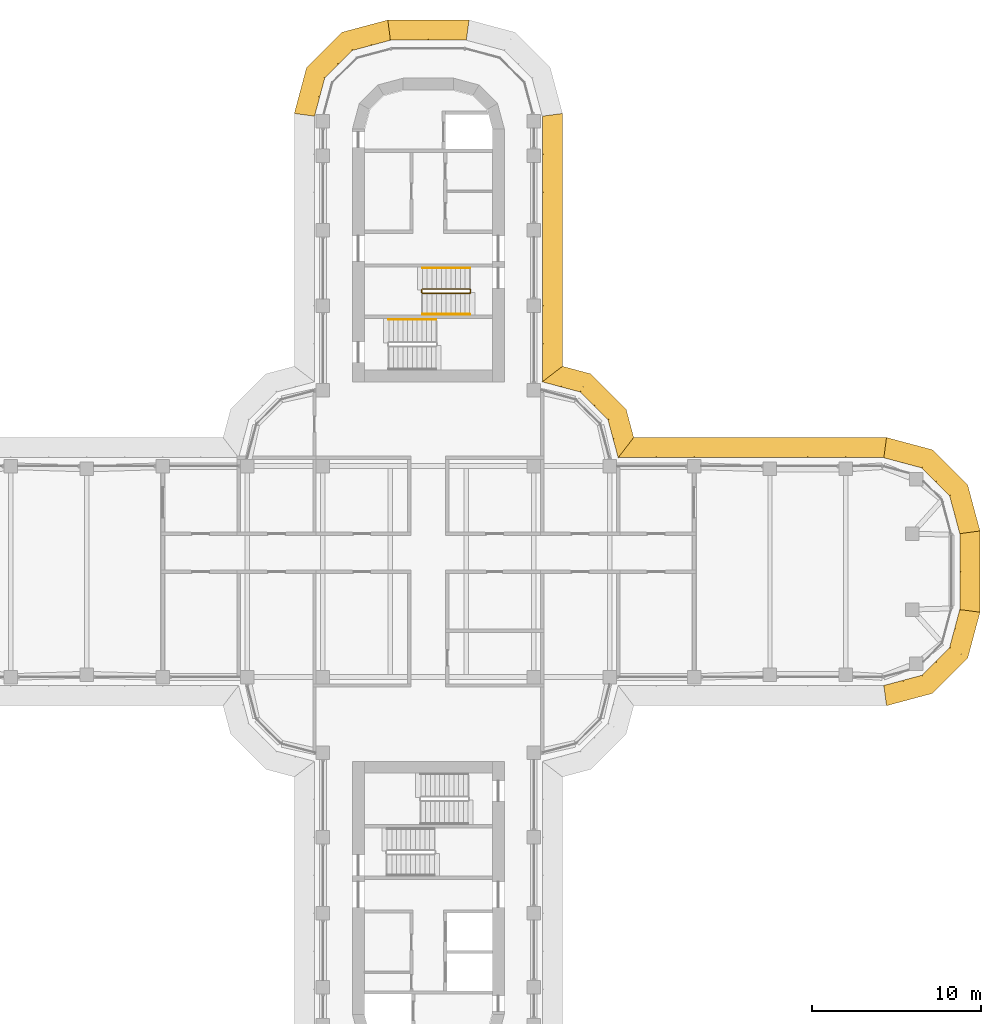
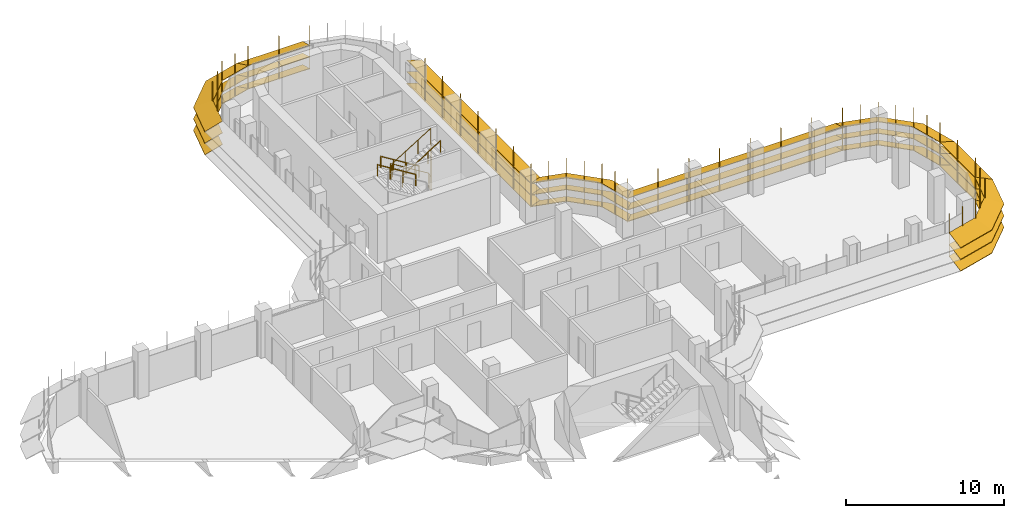
# One storey, part 19 of 20: 8 shading devices, 4 railings.
"""IFC4 building model written with IfcOpenShell, lengths in metres."""

from ifc_helpers import new_model, si_unit, direction, frame, origin, origin_2d, place, context, subcontext, project, spatial, polyline, circle, outline, extrude, faceted_brep, source, transform, mapped, material, type_object, element, save


model = new_model("IFC4")

# Units and contexts
model_context = context("Model", 3, precision=1e-05, world=origin(), true_north=direction((0.0, 1.0)))
body_context = subcontext(model_context, "Body", "Model", "MODEL_VIEW")
ifc_project = project(units=[si_unit("LENGTHUNIT", "METRE"), si_unit("AREAUNIT", "SQUARE_METRE"), si_unit("VOLUMEUNIT", "CUBIC_METRE"), si_unit("PLANEANGLEUNIT", "RADIAN"), si_unit("MASSUNIT", "GRAM", prefix="KILO")], contexts=[model_context])

# Site, building, storey
site_placement = place(None, origin())
site = spatial("IfcSite", under=ifc_project, at=site_placement, CompositionType="ELEMENT")
building_placement = place(site_placement, origin())
building = spatial("IfcBuilding", under=site, at=building_placement, Name="Zarbagh Exchange Tower", CompositionType="ELEMENT")
storey_placement = place(building_placement, frame((0.0, 0.0, 152.39990234375)))
storey = spatial("IfcBuildingStorey", under=building, at=storey_placement, Name="L36", CompositionType="ELEMENT", Elevation=152.39990234375)

# Railings
ifc_material_1 = material(Name="Stainless steel", Category="steel")
railing_type_1 = type_object("IfcRailingType", Name="Stair guard 1100 mm", PredefinedType="GUARDRAIL", material=ifc_material_1)
railing_1_placement = place(storey_placement, frame((-0.35009765625, 16.5, 2.07275390625)))
element("IfcRailing", 1, at=railing_1_placement, inside=storey, type_object=railing_type_1, Name="ST1 stair guard 1", PredefinedType="GUARDRAIL", context=body_context, shape_type="SweptSolid", body=[
    extrude(circle(Radius=0.02392578125, at=origin_2d()), frame((0.0, 0.0, 1.076171875), z_axis=(0.851089632645, 0.0, 0.525020415988), x_axis=(0.0, 1.0, 0.0)), (0.0, 0.0, 1.0), 3.2900390625),
    extrude(circle(Radius=0.02392578125, at=origin_2d()), frame((2.800048828125, 0.0, 2.80322265625), z_axis=(0.013168290981, 0.013168290981, -0.999826581076), x_axis=(-0.707106781187, 0.707106781187, 0.0)), (0.0, 0.0, 1.0), 3.80078125),
    extrude(circle(Radius=0.02392578125, at=origin_2d()), frame((2.85009765625, 0.050048828125, -0.99658203125), z_axis=(0.0, 1.0, 0.0), x_axis=(-1.0, 0.0, 0.0)), (0.0, 0.0, 1.0), 0.14990234375),
    extrude(circle(Radius=0.02392578125, at=origin_2d()), frame((2.85009765625, 0.199951171875, -0.99658203125), z_axis=(-0.267953482034, 0.267953482034, 0.925419830635), x_axis=(-0.707106781187, -0.707106781187, 0.0)), (0.0, 0.0, 1.0), 0.186767578125),
    extrude(circle(Radius=0.02392578125, at=origin_2d()), frame((2.800048828125, 0.25, -0.82373046875), z_axis=(-0.851089632645, 0.0, 0.525020415988), x_axis=(0.0, -1.0, 0.0)), (0.0, 0.0, 1.0), 3.2900390625),
    extrude(circle(Radius=0.02392578125, at=origin_2d()), frame((0.0, 0.25, 0.9033203125), z_axis=(-0.705375805398, -0.708833529934, 0.0), x_axis=(0.708833529934, -0.705375805398, 0.0)), (0.0, 0.0, 1.0), 0.070556640625),
    extrude(circle(Radius=0.02392578125, at=origin_2d()), frame((-0.0498046875, 0.199951171875, 0.9033203125), z_axis=(0.0, -1.0, 0.0), x_axis=(1.0, 0.0, 0.0)), (0.0, 0.0, 1.0), 0.14990234375),
    extrude(circle(Radius=0.02099609375, at=origin_2d()), origin(), (0.0, 0.0, 1.0), 1.052001953125),
    extrude(circle(Radius=0.02099609375, at=origin_2d()), frame((0.933349609375, 0.0, 0.57568359375)), (0.0, 0.0, 1.0), 1.052001953125),
    extrude(circle(Radius=0.02099609375, at=origin_2d()), frame((1.86669921875, 0.0, 1.151611328125)), (0.0, 0.0, 1.0), 1.052001953125),
    extrude(circle(Radius=0.02099609375, at=origin_2d()), frame((2.800048828125, 0.0, 1.727294921875)), (0.0, 0.0, 1.0), 1.052001953125),
    extrude(circle(Radius=0.02099609375, at=origin_2d()), frame((2.8125, 0.012451171875, 0.77734375)), (0.0, 0.0, 1.0), 1.052001953125),
    extrude(circle(Radius=0.02099609375, at=origin_2d()), frame((2.8251953125, 0.02490234375, -0.1728515625)), (0.0, 0.0, 1.0), 1.052001953125),
    extrude(circle(Radius=0.02099609375, at=origin_2d()), frame((2.837646484375, 0.03759765625, -1.122802734375)), (0.0, 0.0, 1.0), 1.052001953125),
    extrude(circle(Radius=0.02099609375, at=origin_2d()), frame((2.85009765625, 0.050048828125, -2.07275390625)), (0.0, 0.0, 1.0), 1.052001953125),
    extrude(circle(Radius=0.02099609375, at=origin_2d()), frame((2.85009765625, 0.199951171875, -2.07275390625)), (0.0, 0.0, 1.0), 1.052001953125),
    extrude(circle(Radius=0.02099609375, at=origin_2d()), frame((2.800048828125, 0.25, -1.89990234375)), (0.0, 0.0, 1.0), 1.052001953125),
    extrude(circle(Radius=0.02099609375, at=origin_2d()), frame((1.86669921875, 0.25, -1.32421875)), (0.0, 0.0, 1.0), 1.052001953125),
    extrude(circle(Radius=0.02099609375, at=origin_2d()), frame((0.933349609375, 0.25, -0.748291015625)), (0.0, 0.0, 1.0), 1.052001953125),
    extrude(circle(Radius=0.02099609375, at=origin_2d()), frame((0.0, 0.25, -0.172607421875)), (0.0, 0.0, 1.0), 1.052001953125),
    extrude(circle(Radius=0.02099609375, at=origin_2d()), frame((-0.0498046875, 0.199951171875, -0.172607421875)), (0.0, 0.0, 1.0), 1.052001953125),
    extrude(circle(Radius=0.02099609375, at=origin_2d()), frame((-0.0498046875, 0.050048828125, -0.172607421875)), (0.0, 0.0, 1.0), 1.052001953125),
])
railing_type_2 = type_object("IfcRailingType", Name="Stair handrail 900 mm", PredefinedType="HANDRAIL", material=ifc_material_1)
railing_2_placement = place(storey_placement, frame((2.449951171875, 18.0, 0.1728515625)))
element("IfcRailing", 2, at=railing_2_placement, inside=storey, type_object=railing_type_2, Name="ST1 stair handrail 1", PredefinedType="HANDRAIL", context=body_context, shape_type="SweptSolid", body=[
    extrude(circle(Radius=0.02392578125, at=origin_2d()), frame((0.0, 0.0, 0.8759765625), z_axis=(-0.851089632645, 0.0, 0.525020415988), x_axis=(0.0, -1.0, 0.0)), (0.0, 0.0, 1.0), 3.2900390625),
    extrude(circle(Radius=0.02099609375, at=origin_2d()), origin(), (0.0, 0.0, 1.0), 0.851806640625),
    extrude(circle(Radius=0.02099609375, at=origin_2d()), frame((-0.933349609375, 0.0, 0.57568359375)), (0.0, 0.0, 1.0), 0.851806640625),
    extrude(circle(Radius=0.02099609375, at=origin_2d()), frame((-1.86669921875, 0.0, 1.151611328125)), (0.0, 0.0, 1.0), 0.851806640625),
    extrude(circle(Radius=0.02099609375, at=origin_2d()), frame((-2.800048828125, 0.0, 1.727294921875)), (0.0, 0.0, 1.0), 0.851806640625),
])
railing_3_placement = place(storey_placement, frame((-0.35009765625, 15.25, 2.07275390625)))
element("IfcRailing", 3, at=railing_3_placement, inside=storey, type_object=railing_type_2, Name="ST1 stair handrail 2", PredefinedType="HANDRAIL", context=body_context, shape_type="SweptSolid", body=[
    extrude(circle(Radius=0.02392578125, at=origin_2d()), frame((0.0, 0.0, 0.8759765625), z_axis=(0.851089632645, 0.0, 0.525020415988), x_axis=(0.0, 1.0, 0.0)), (0.0, 0.0, 1.0), 3.2900390625),
    extrude(circle(Radius=0.02099609375, at=origin_2d()), origin(), (0.0, 0.0, 1.0), 0.851806640625),
    extrude(circle(Radius=0.02099609375, at=origin_2d()), frame((0.933349609375, 0.0, 0.57568359375)), (0.0, 0.0, 1.0), 0.851806640625),
    extrude(circle(Radius=0.02099609375, at=origin_2d()), frame((1.86669921875, 0.0, 1.151611328125)), (0.0, 0.0, 1.0), 0.851806640625),
    extrude(circle(Radius=0.02099609375, at=origin_2d()), frame((2.800048828125, 0.0, 1.727294921875)), (0.0, 0.0, 1.0), 0.851806640625),
])
railing_4_placement = place(storey_placement, frame((0.449951171875, 14.949951171875, 2.07275390625)))
element("IfcRailing", 4, at=railing_4_placement, inside=storey, type_object=railing_type_2, Name="ST2 stair handrail 2", PredefinedType="HANDRAIL", context=body_context, shape_type="SweptSolid", body=[
    extrude(circle(Radius=0.02392578125, at=origin_2d()), frame((0.0, 0.0, 0.8759765625), z_axis=(-0.851089632645, 0.0, 0.525020415988), x_axis=(0.0, -1.0, 0.0)), (0.0, 0.0, 1.0), 3.2900390625),
    extrude(circle(Radius=0.02099609375, at=origin_2d()), origin(), (0.0, 0.0, 1.0), 0.851806640625),
    extrude(circle(Radius=0.02099609375, at=origin_2d()), frame((-0.933349609375, 0.0, 0.57568359375)), (0.0, 0.0, 1.0), 0.851806640625),
    extrude(circle(Radius=0.02099609375, at=origin_2d()), frame((-1.86669921875, 0.0, 1.151611328125)), (0.0, 0.0, 1.0), 0.851806640625),
    extrude(circle(Radius=0.02099609375, at=origin_2d()), frame((-2.800048828125, 0.0, 1.727294921875)), (0.0, 0.0, 1.0), 0.851806640625),
])

# Shading devices
ifc_material_2 = material(Name="Anodised aluminium blades and brackets", Category="aluminium")
shading_device_type = type_object("IfcShadingDeviceType", Name="SUNSHADE louvre band, 22.5 degree blades", PredefinedType="JALOUSIE", material=ifc_material_2)
shared_shape_1 = source(origin(), body_context, "Body", "Brep", [
    faceted_brep([(0.0, 0.0, 0.0), (0.0, 0.0, -0.043212890625), (-0.157958984375, -1.199951171875, -0.540283203125), (-0.157958984375, -1.199951171875, -0.4970703125), (2.65087890625, -1.199951171875, -0.4970703125), (2.65087890625, -1.199951171875, -0.540283203125), (2.329345703125, 0.0, -0.043212890625), (2.329345703125, 0.0, 0.0)], [[[0, 1, 2, 3]], [[4, 5, 6, 7]], [[0, 7, 6, 1]], [[1, 6, 5, 2]], [[2, 5, 4, 3]], [[3, 4, 7, 0]]]),
])
shared_shape_2 = source(origin(), body_context, "Body", "Brep", [
    faceted_brep([(0.0, 0.0, 0.0), (0.0, 0.0, -0.043212890625), (-0.321533203125, -1.199951171875, -0.540283203125), (-0.321533203125, -1.199951171875, -0.4970703125), (2.65087890625, -1.199951171875, -0.4970703125), (2.65087890625, -1.199951171875, -0.540283203125), (2.329345703125, 0.0, -0.043212890625), (2.329345703125, 0.0, 0.0)], [[[0, 1, 2, 3]], [[4, 5, 6, 7]], [[0, 7, 6, 1]], [[1, 6, 5, 2]], [[2, 5, 4, 3]], [[3, 4, 7, 0]]]),
])
shared_shape_3 = source(origin(), body_context, "Body", "Brep", [
    faceted_brep([(0.0, 0.0, 0.0), (0.0, 0.0, -0.043212890625), (-0.321533203125, -1.199951171875, -0.540283203125), (-0.321533203125, -1.199951171875, -0.4970703125), (2.4873046875, -1.199951171875, -0.4970703125), (2.4873046875, -1.199951171875, -0.540283203125), (2.329345703125, 0.0, -0.043212890625), (2.329345703125, 0.0, 0.0)], [[[0, 1, 2, 3]], [[4, 5, 6, 7]], [[0, 7, 6, 1]], [[1, 6, 5, 2]], [[2, 5, 4, 3]], [[3, 4, 7, 0]]]),
])
shared_shape_4 = source(origin(), body_context, "Body", "SweptSolid", [
    extrude(outline(polyline([(0.0, -0.012451171875), (0.06005859375, -0.012451171875), (0.06005859375, 0.012451171875), (0.0, 0.012451171875), (0.0, -0.012451171875)])), origin(), (0.0, 0.0, 1.0), 3.353271484375),
])
placement = place(storey_placement, origin())
element("IfcShadingDevice", 5, at=placement, inside=storey, type_object=shading_device_type, Name="SS31 sunshade band", PredefinedType="JALOUSIE", context=body_context, shape_type="MappedRepresentation", body=[
    mapped(shared_shape_1, transform((27.0, -6.75, 2.300048828125), x_axis=(0.965924289636, 0.258824779902, 0.0), y_axis=(-0.258824779902, 0.965924289636, 0.0), z_axis=(0.0, 0.0, 1.0))),
    mapped(shared_shape_1, transform((27.0, -6.75, 1.400146484375), x_axis=(0.965924289636, 0.258824779902, 0.0), y_axis=(-0.258824779902, 0.965924289636, 0.0), z_axis=(0.0, 0.0, 1.0))),
    mapped(shared_shape_1, transform((27.0, -6.75, 0.5), x_axis=(0.965924289636, 0.258824779902, 0.0), y_axis=(-0.258824779902, 0.965924289636, 0.0), z_axis=(0.0, 0.0, 1.0))),
    mapped(shared_shape_2, transform((29.25, -6.147216796875, 2.300048828125), x_axis=(0.707106781187, 0.707106781187, 0.0), y_axis=(-0.707106781187, 0.707106781187, 0.0), z_axis=(0.0, 0.0, 1.0))),
    mapped(shared_shape_2, transform((29.25, -6.147216796875, 1.400146484375), x_axis=(0.707106781187, 0.707106781187, 0.0), y_axis=(-0.707106781187, 0.707106781187, 0.0), z_axis=(0.0, 0.0, 1.0))),
    mapped(shared_shape_2, transform((29.25, -6.147216796875, 0.5), x_axis=(0.707106781187, 0.707106781187, 0.0), y_axis=(-0.707106781187, 0.707106781187, 0.0), z_axis=(0.0, 0.0, 1.0))),
    mapped(shared_shape_3, transform((30.897216796875, -4.5, 2.300048828125), x_axis=(0.258824779902, 0.965924289636, 0.0), y_axis=(-0.965924289636, 0.258824779902, 0.0), z_axis=(0.0, 0.0, 1.0))),
    mapped(shared_shape_3, transform((30.897216796875, -4.5, 1.400146484375), x_axis=(0.258824779902, 0.965924289636, 0.0), y_axis=(-0.965924289636, 0.258824779902, 0.0), z_axis=(0.0, 0.0, 1.0))),
    mapped(shared_shape_3, transform((30.897216796875, -4.5, 0.5), x_axis=(0.258824779902, 0.965924289636, 0.0), y_axis=(-0.965924289636, 0.258824779902, 0.0), z_axis=(0.0, 0.0, 1.0))),
    mapped(shared_shape_4, transform((27.0, -6.75, 0.4267578125), x_axis=(0.130529263012, -0.991444457092, 0.0), y_axis=(0.991444457092, 0.130529263012, 0.0), z_axis=(0.0, 0.0, 1.0))),
    mapped(shared_shape_4, transform((28.125, -6.448486328125, 0.4267578125), x_axis=(0.258825058029, -0.96592421511, 0.0), y_axis=(0.96592421511, 0.258825058029, 0.0), z_axis=(0.0, 0.0, 1.0))),
    mapped(shared_shape_4, transform((29.25, -6.147216796875, 0.4267578125), x_axis=(0.50000275701, -0.866023812018, 0.0), y_axis=(0.866023812018, 0.50000275701, 0.0), z_axis=(0.0, 0.0, 1.0))),
    mapped(shared_shape_4, transform((30.073486328125, -5.323486328125, 0.4267578125), x_axis=(0.707106781187, -0.707106781187, 0.0), y_axis=(0.707106781187, 0.707106781187, 0.0), z_axis=(0.0, 0.0, 1.0))),
    mapped(shared_shape_4, transform((30.897216796875, -4.5, 0.4267578125), x_axis=(0.866023812018, -0.50000275701, 0.0), y_axis=(0.50000275701, 0.866023812018, 0.0), z_axis=(0.0, 0.0, 1.0))),
    mapped(shared_shape_4, transform((31.198486328125, -3.375, 0.4267578125), x_axis=(0.96592421511, -0.258825058029, 0.0), y_axis=(0.258825058029, 0.96592421511, 0.0), z_axis=(0.0, 0.0, 1.0))),
])
element("IfcShadingDevice", 6, at=placement, inside=storey, type_object=shading_device_type, Name="SS33 sunshade band", PredefinedType="JALOUSIE", context=body_context, shape_type="MappedRepresentation", body=[
    mapped(shared_shape_1, transform((31.5, 2.25, 2.300048828125), x_axis=(-0.258824779902, 0.965924289636, 0.0), y_axis=(-0.965924289636, -0.258824779902, 0.0), z_axis=(0.0, 0.0, 1.0))),
    mapped(shared_shape_1, transform((31.5, 2.25, 1.400146484375), x_axis=(-0.258824779902, 0.965924289636, 0.0), y_axis=(-0.965924289636, -0.258824779902, 0.0), z_axis=(0.0, 0.0, 1.0))),
    mapped(shared_shape_1, transform((31.5, 2.25, 0.5), x_axis=(-0.258824779902, 0.965924289636, 0.0), y_axis=(-0.965924289636, -0.258824779902, 0.0), z_axis=(0.0, 0.0, 1.0))),
    mapped(shared_shape_2, transform((30.897216796875, 4.5, 2.300048828125), x_axis=(-0.707106781187, 0.707106781187, 0.0), y_axis=(-0.707106781187, -0.707106781187, 0.0), z_axis=(0.0, 0.0, 1.0))),
    mapped(shared_shape_2, transform((30.897216796875, 4.5, 1.400146484375), x_axis=(-0.707106781187, 0.707106781187, 0.0), y_axis=(-0.707106781187, -0.707106781187, 0.0), z_axis=(0.0, 0.0, 1.0))),
    mapped(shared_shape_2, transform((30.897216796875, 4.5, 0.5), x_axis=(-0.707106781187, 0.707106781187, 0.0), y_axis=(-0.707106781187, -0.707106781187, 0.0), z_axis=(0.0, 0.0, 1.0))),
    mapped(shared_shape_3, transform((29.25, 6.147216796875, 2.300048828125), x_axis=(-0.965924289636, 0.258824779902, 0.0), y_axis=(-0.258824779902, -0.965924289636, 0.0), z_axis=(0.0, 0.0, 1.0))),
    mapped(shared_shape_3, transform((29.25, 6.147216796875, 1.400146484375), x_axis=(-0.965924289636, 0.258824779902, 0.0), y_axis=(-0.258824779902, -0.965924289636, 0.0), z_axis=(0.0, 0.0, 1.0))),
    mapped(shared_shape_3, transform((29.25, 6.147216796875, 0.5), x_axis=(-0.965924289636, 0.258824779902, 0.0), y_axis=(-0.258824779902, -0.965924289636, 0.0), z_axis=(0.0, 0.0, 1.0))),
    mapped(shared_shape_4, transform((31.5, 2.25, 0.4267578125), x_axis=(0.991444457092, 0.130529263012, 0.0), y_axis=(-0.130529263012, 0.991444457092, 0.0), z_axis=(0.0, 0.0, 1.0))),
    mapped(shared_shape_4, transform((31.198486328125, 3.375, 0.4267578125), x_axis=(0.96592421511, 0.258825058029, 0.0), y_axis=(-0.258825058029, 0.96592421511, 0.0), z_axis=(0.0, 0.0, 1.0))),
    mapped(shared_shape_4, transform((30.897216796875, 4.5, 0.4267578125), x_axis=(0.866023812018, 0.50000275701, 0.0), y_axis=(-0.50000275701, 0.866023812018, 0.0), z_axis=(0.0, 0.0, 1.0))),
    mapped(shared_shape_4, transform((30.073486328125, 5.323486328125, 0.4267578125), x_axis=(0.707106781187, 0.707106781187, 0.0), y_axis=(-0.707106781187, 0.707106781187, 0.0), z_axis=(0.0, 0.0, 1.0))),
    mapped(shared_shape_4, transform((29.25, 6.147216796875, 0.4267578125), x_axis=(0.50000275701, 0.866023812018, 0.0), y_axis=(-0.866023812018, 0.50000275701, 0.0), z_axis=(0.0, 0.0, 1.0))),
    mapped(shared_shape_4, transform((28.125, 6.448486328125, 0.4267578125), x_axis=(0.258825058029, 0.96592421511, 0.0), y_axis=(-0.96592421511, 0.258825058029, 0.0), z_axis=(0.0, 0.0, 1.0))),
])
element("IfcShadingDevice", 7, at=placement, inside=storey, type_object=shading_device_type, Name="SS28 sunshade band", PredefinedType="JALOUSIE", context=body_context, shape_type="MappedRepresentation", body=[
    mapped(shared_shape_1, transform((-2.25, 31.5, 2.300048828125), x_axis=(-0.965924289636, -0.258824779902, 0.0), y_axis=(0.258824779902, -0.965924289636, 0.0), z_axis=(0.0, 0.0, 1.0))),
    mapped(shared_shape_1, transform((-2.25, 31.5, 1.400146484375), x_axis=(-0.965924289636, -0.258824779902, 0.0), y_axis=(0.258824779902, -0.965924289636, 0.0), z_axis=(0.0, 0.0, 1.0))),
    mapped(shared_shape_1, transform((-2.25, 31.5, 0.5), x_axis=(-0.965924289636, -0.258824779902, 0.0), y_axis=(0.258824779902, -0.965924289636, 0.0), z_axis=(0.0, 0.0, 1.0))),
    mapped(shared_shape_2, transform((-4.5, 30.897216796875, 2.300048828125), x_axis=(-0.707106781187, -0.707106781187, 0.0), y_axis=(0.707106781187, -0.707106781187, 0.0), z_axis=(0.0, 0.0, 1.0))),
    mapped(shared_shape_2, transform((-4.5, 30.897216796875, 1.400146484375), x_axis=(-0.707106781187, -0.707106781187, 0.0), y_axis=(0.707106781187, -0.707106781187, 0.0), z_axis=(0.0, 0.0, 1.0))),
    mapped(shared_shape_2, transform((-4.5, 30.897216796875, 0.5), x_axis=(-0.707106781187, -0.707106781187, 0.0), y_axis=(0.707106781187, -0.707106781187, 0.0), z_axis=(0.0, 0.0, 1.0))),
    mapped(shared_shape_3, transform((-6.147216796875, 29.25, 2.300048828125), x_axis=(-0.258824779902, -0.965924289636, 0.0), y_axis=(0.965924289636, -0.258824779902, 0.0), z_axis=(0.0, 0.0, 1.0))),
    mapped(shared_shape_3, transform((-6.147216796875, 29.25, 1.400146484375), x_axis=(-0.258824779902, -0.965924289636, 0.0), y_axis=(0.965924289636, -0.258824779902, 0.0), z_axis=(0.0, 0.0, 1.0))),
    mapped(shared_shape_3, transform((-6.147216796875, 29.25, 0.5), x_axis=(-0.258824779902, -0.965924289636, 0.0), y_axis=(0.965924289636, -0.258824779902, 0.0), z_axis=(0.0, 0.0, 1.0))),
    mapped(shared_shape_4, transform((-2.25, 31.5, 0.4267578125), x_axis=(-0.130529263012, 0.991444457092, 0.0), y_axis=(-0.991444457092, -0.130529263012, 0.0), z_axis=(0.0, 0.0, 1.0))),
    mapped(shared_shape_4, transform((-3.375, 31.198486328125, 0.4267578125), x_axis=(-0.258825058029, 0.96592421511, 0.0), y_axis=(-0.96592421511, -0.258825058029, 0.0), z_axis=(0.0, 0.0, 1.0))),
    mapped(shared_shape_4, transform((-4.5, 30.897216796875, 0.4267578125), x_axis=(-0.50000275701, 0.866023812018, 0.0), y_axis=(-0.866023812018, -0.50000275701, 0.0), z_axis=(0.0, 0.0, 1.0))),
    mapped(shared_shape_4, transform((-5.323486328125, 30.073486328125, 0.4267578125), x_axis=(-0.707106781187, 0.707106781187, 0.0), y_axis=(-0.707106781187, -0.707106781187, 0.0), z_axis=(0.0, 0.0, 1.0))),
    mapped(shared_shape_4, transform((-6.147216796875, 29.25, 0.4267578125), x_axis=(-0.866023812018, 0.50000275701, 0.0), y_axis=(-0.50000275701, -0.866023812018, 0.0), z_axis=(0.0, 0.0, 1.0))),
    mapped(shared_shape_4, transform((-6.448486328125, 28.125, 0.4267578125), x_axis=(-0.96592421511, 0.258825058029, 0.0), y_axis=(-0.258825058029, -0.96592421511, 0.0), z_axis=(0.0, 0.0, 1.0))),
])
shared_shape_5 = source(origin(), body_context, "Body", "Brep", [
    faceted_brep([(0.0, 0.0, 0.0), (0.0, 0.0, -0.043212890625), (0.9208984375, -1.199951171875, -0.540283203125), (0.9208984375, -1.199951171875, -0.4970703125), (2.65087890625, -1.199951171875, -0.4970703125), (2.65087890625, -1.199951171875, -0.540283203125), (2.329345703125, 0.0, -0.043212890625), (2.329345703125, 0.0, 0.0)], [[[0, 1, 2, 3]], [[4, 5, 6, 7]], [[0, 7, 6, 1]], [[1, 6, 5, 2]], [[2, 5, 4, 3]], [[3, 4, 7, 0]]]),
])
shared_shape_6 = source(origin(), body_context, "Body", "Brep", [
    faceted_brep([(0.0, 0.0, 0.0), (0.0, 0.0, -0.043212890625), (-0.321533203125, -1.199951171875, -0.540283203125), (-0.321533203125, -1.199951171875, -0.4970703125), (1.40869140625, -1.199951171875, -0.4970703125), (1.40869140625, -1.199951171875, -0.540283203125), (2.329345703125, 0.0, -0.043212890625), (2.329345703125, 0.0, 0.0)], [[[0, 1, 2, 3]], [[4, 5, 6, 7]], [[0, 7, 6, 1]], [[1, 6, 5, 2]], [[2, 5, 4, 3]], [[3, 4, 7, 0]]]),
])
element("IfcShadingDevice", 8, at=placement, inside=storey, type_object=shading_device_type, Name="SS09 sunshade band", PredefinedType="JALOUSIE", context=body_context, shape_type="MappedRepresentation", body=[
    mapped(shared_shape_5, transform((11.25, 6.75, 2.300048828125), x_axis=(-0.258824779902, 0.965924289636, 0.0), y_axis=(-0.965924289636, -0.258824779902, 0.0), z_axis=(0.0, 0.0, 1.0))),
    mapped(shared_shape_5, transform((11.25, 6.75, 1.400146484375), x_axis=(-0.258824779902, 0.965924289636, 0.0), y_axis=(-0.965924289636, -0.258824779902, 0.0), z_axis=(0.0, 0.0, 1.0))),
    mapped(shared_shape_5, transform((11.25, 6.75, 0.5), x_axis=(-0.258824779902, 0.965924289636, 0.0), y_axis=(-0.965924289636, -0.258824779902, 0.0), z_axis=(0.0, 0.0, 1.0))),
    mapped(shared_shape_2, transform((10.647216796875, 9.0, 2.300048828125), x_axis=(-0.707106781187, 0.707106781187, 0.0), y_axis=(-0.707106781187, -0.707106781187, 0.0), z_axis=(0.0, 0.0, 1.0))),
    mapped(shared_shape_2, transform((10.647216796875, 9.0, 1.400146484375), x_axis=(-0.707106781187, 0.707106781187, 0.0), y_axis=(-0.707106781187, -0.707106781187, 0.0), z_axis=(0.0, 0.0, 1.0))),
    mapped(shared_shape_2, transform((10.647216796875, 9.0, 0.5), x_axis=(-0.707106781187, 0.707106781187, 0.0), y_axis=(-0.707106781187, -0.707106781187, 0.0), z_axis=(0.0, 0.0, 1.0))),
    mapped(shared_shape_6, transform((9.0, 10.647216796875, 2.300048828125), x_axis=(-0.965924289636, 0.258824779902, 0.0), y_axis=(-0.258824779902, -0.965924289636, 0.0), z_axis=(0.0, 0.0, 1.0))),
    mapped(shared_shape_6, transform((9.0, 10.647216796875, 1.400146484375), x_axis=(-0.965924289636, 0.258824779902, 0.0), y_axis=(-0.258824779902, -0.965924289636, 0.0), z_axis=(0.0, 0.0, 1.0))),
    mapped(shared_shape_6, transform((9.0, 10.647216796875, 0.5), x_axis=(-0.965924289636, 0.258824779902, 0.0), y_axis=(-0.258824779902, -0.965924289636, 0.0), z_axis=(0.0, 0.0, 1.0))),
    mapped(shared_shape_4, transform((11.25, 6.75, 0.4267578125), x_axis=(0.608758892, 0.793355287, 0.0), y_axis=(-0.793355287, 0.608758892, 0.0), z_axis=(0.0, 0.0, 1.0))),
    mapped(shared_shape_4, transform((10.948486328125, 7.875, 0.4267578125), x_axis=(0.96592421511, 0.258825058029, 0.0), y_axis=(-0.258825058029, 0.96592421511, 0.0), z_axis=(0.0, 0.0, 1.0))),
    mapped(shared_shape_4, transform((10.647216796875, 9.0, 0.4267578125), x_axis=(0.866023812018, 0.50000275701, 0.0), y_axis=(-0.50000275701, 0.866023812018, 0.0), z_axis=(0.0, 0.0, 1.0))),
    mapped(shared_shape_4, transform((9.823486328125, 9.823486328125, 0.4267578125), x_axis=(0.707106781187, 0.707106781187, 0.0), y_axis=(-0.707106781187, 0.707106781187, 0.0), z_axis=(0.0, 0.0, 1.0))),
    mapped(shared_shape_4, transform((9.0, 10.647216796875, 0.4267578125), x_axis=(0.50000275701, 0.866023812018, 0.0), y_axis=(-0.866023812018, 0.50000275701, 0.0), z_axis=(0.0, 0.0, 1.0))),
    mapped(shared_shape_4, transform((7.875, 10.948486328125, 0.4267578125), x_axis=(0.258825058029, 0.96592421511, 0.0), y_axis=(-0.96592421511, 0.258825058029, 0.0), z_axis=(0.0, 0.0, 1.0))),
])
shared_shape_7 = source(origin(), body_context, "Body", "Brep", [
    faceted_brep([(0.0, 0.0, 0.0), (0.0, 0.0, -0.043212890625), (-0.157958984375, -1.199951171875, -0.540283203125), (-0.157958984375, -1.199951171875, -0.4970703125), (4.657958984375, -1.199951171875, -0.4970703125), (4.657958984375, -1.199951171875, -0.540283203125), (4.5, 0.0, -0.043212890625), (4.5, 0.0, 0.0)], [[[0, 1, 2, 3]], [[4, 5, 6, 7]], [[0, 7, 6, 1]], [[1, 6, 5, 2]], [[2, 5, 4, 3]], [[3, 4, 7, 0]]]),
])
element("IfcShadingDevice", 9, at=placement, inside=storey, type_object=shading_device_type, Name="SS32 sunshade band", PredefinedType="JALOUSIE", context=body_context, shape_type="MappedRepresentation", body=[
    mapped(shared_shape_7, transform((31.5, -2.25, 2.300048828125), x_axis=(0.0, 1.0, 0.0), y_axis=(-1.0, 0.0, 0.0), z_axis=(0.0, 0.0, 1.0))),
    mapped(shared_shape_7, transform((31.5, -2.25, 1.400146484375), x_axis=(0.0, 1.0, 0.0), y_axis=(-1.0, 0.0, 0.0), z_axis=(0.0, 0.0, 1.0))),
    mapped(shared_shape_7, transform((31.5, -2.25, 0.5), x_axis=(0.0, 1.0, 0.0), y_axis=(-1.0, 0.0, 0.0), z_axis=(0.0, 0.0, 1.0))),
    mapped(shared_shape_4, transform((31.5, -2.25, 0.4267578125), x_axis=(0.991444457092, -0.130529263012, 0.0), y_axis=(0.130529263012, 0.991444457092, 0.0), z_axis=(0.0, 0.0, 1.0))),
    mapped(shared_shape_4, transform((31.5, 0.0, 0.4267578125), x_axis=(1.0, 0.0, 0.0), y_axis=(0.0, 1.0, 0.0), z_axis=(0.0, 0.0, 1.0))),
])
shared_shape_8 = source(origin(), body_context, "Body", "Brep", [
    faceted_brep([(0.0, 0.0, 0.0), (0.0, 0.0, -0.043212890625), (-0.157958984375, -1.199951171875, -0.540283203125), (-0.157958984375, -1.199951171875, -0.4970703125), (14.8291015625, -1.199951171875, -0.4970703125), (14.8291015625, -1.199951171875, -0.540283203125), (15.75, 0.0, -0.043212890625), (15.75, 0.0, 0.0)], [[[0, 1, 2, 3]], [[4, 5, 6, 7]], [[0, 7, 6, 1]], [[1, 6, 5, 2]], [[2, 5, 4, 3]], [[3, 4, 7, 0]]]),
])
element("IfcShadingDevice", 10, at=placement, inside=storey, type_object=shading_device_type, Name="SS34 sunshade band", PredefinedType="JALOUSIE", context=body_context, shape_type="MappedRepresentation", body=[
    mapped(shared_shape_8, transform((27.0, 6.75, 2.300048828125), x_axis=(-1.0, 0.0, 0.0), y_axis=(0.0, -1.0, 0.0), z_axis=(0.0, 0.0, 1.0))),
    mapped(shared_shape_8, transform((27.0, 6.75, 1.400146484375), x_axis=(-1.0, 0.0, 0.0), y_axis=(0.0, -1.0, 0.0), z_axis=(0.0, 0.0, 1.0))),
    mapped(shared_shape_8, transform((27.0, 6.75, 0.5), x_axis=(-1.0, 0.0, 0.0), y_axis=(0.0, -1.0, 0.0), z_axis=(0.0, 0.0, 1.0))),
    mapped(shared_shape_4, transform((27.0, 6.75, 0.4267578125), x_axis=(0.130529263012, 0.991444457092, 0.0), y_axis=(-0.991444457092, 0.130529263012, 0.0), z_axis=(0.0, 0.0, 1.0))),
    mapped(shared_shape_4, transform((24.75, 6.75, 0.4267578125), x_axis=(0.0, 1.0, 0.0), y_axis=(-1.0, 0.0, 0.0), z_axis=(0.0, 0.0, 1.0))),
    mapped(shared_shape_4, transform((22.5, 6.75, 0.4267578125), x_axis=(0.0, 1.0, 0.0), y_axis=(-1.0, 0.0, 0.0), z_axis=(0.0, 0.0, 1.0))),
    mapped(shared_shape_4, transform((20.25, 6.75, 0.4267578125), x_axis=(0.0, 1.0, 0.0), y_axis=(-1.0, 0.0, 0.0), z_axis=(0.0, 0.0, 1.0))),
    mapped(shared_shape_4, transform((18.0, 6.75, 0.4267578125), x_axis=(0.0, 1.0, 0.0), y_axis=(-1.0, 0.0, 0.0), z_axis=(0.0, 0.0, 1.0))),
    mapped(shared_shape_4, transform((15.75, 6.75, 0.4267578125), x_axis=(0.0, 1.0, 0.0), y_axis=(-1.0, 0.0, 0.0), z_axis=(0.0, 0.0, 1.0))),
    mapped(shared_shape_4, transform((13.5, 6.75, 0.4267578125), x_axis=(0.0, 1.0, 0.0), y_axis=(-1.0, 0.0, 0.0), z_axis=(0.0, 0.0, 1.0))),
])
shared_shape_9 = source(origin(), body_context, "Body", "Brep", [
    faceted_brep([(0.0, 0.0, 0.0), (0.0, 0.0, -0.043212890625), (0.9208984375, -1.199951171875, -0.540283203125), (0.9208984375, -1.199951171875, -0.4970703125), (15.907958984375, -1.199951171875, -0.4970703125), (15.907958984375, -1.199951171875, -0.540283203125), (15.75, 0.0, -0.043212890625), (15.75, 0.0, 0.0)], [[[0, 1, 2, 3]], [[4, 5, 6, 7]], [[0, 7, 6, 1]], [[1, 6, 5, 2]], [[2, 5, 4, 3]], [[3, 4, 7, 0]]]),
])
element("IfcShadingDevice", 11, at=placement, inside=storey, type_object=shading_device_type, Name="SS25 sunshade band", PredefinedType="JALOUSIE", context=body_context, shape_type="MappedRepresentation", body=[
    mapped(shared_shape_9, transform((6.75, 11.25, 2.300048828125), x_axis=(0.0, 1.0, 0.0), y_axis=(-1.0, 0.0, 0.0), z_axis=(0.0, 0.0, 1.0))),
    mapped(shared_shape_9, transform((6.75, 11.25, 1.400146484375), x_axis=(0.0, 1.0, 0.0), y_axis=(-1.0, 0.0, 0.0), z_axis=(0.0, 0.0, 1.0))),
    mapped(shared_shape_9, transform((6.75, 11.25, 0.5), x_axis=(0.0, 1.0, 0.0), y_axis=(-1.0, 0.0, 0.0), z_axis=(0.0, 0.0, 1.0))),
    mapped(shared_shape_4, transform((6.75, 11.25, 0.4267578125), x_axis=(0.793355287, 0.608758892, 0.0), y_axis=(-0.608758892, 0.793355287, 0.0), z_axis=(0.0, 0.0, 1.0))),
    mapped(shared_shape_4, transform((6.75, 13.5, 0.4267578125), x_axis=(1.0, 0.0, 0.0), y_axis=(0.0, 1.0, 0.0), z_axis=(0.0, 0.0, 1.0))),
    mapped(shared_shape_4, transform((6.75, 15.75, 0.4267578125), x_axis=(1.0, 0.0, 0.0), y_axis=(0.0, 1.0, 0.0), z_axis=(0.0, 0.0, 1.0))),
    mapped(shared_shape_4, transform((6.75, 18.0, 0.4267578125), x_axis=(1.0, 0.0, 0.0), y_axis=(0.0, 1.0, 0.0), z_axis=(0.0, 0.0, 1.0))),
    mapped(shared_shape_4, transform((6.75, 20.25, 0.4267578125), x_axis=(1.0, 0.0, 0.0), y_axis=(0.0, 1.0, 0.0), z_axis=(0.0, 0.0, 1.0))),
    mapped(shared_shape_4, transform((6.75, 22.5, 0.4267578125), x_axis=(1.0, 0.0, 0.0), y_axis=(0.0, 1.0, 0.0), z_axis=(0.0, 0.0, 1.0))),
    mapped(shared_shape_4, transform((6.75, 24.75, 0.4267578125), x_axis=(1.0, 0.0, 0.0), y_axis=(0.0, 1.0, 0.0), z_axis=(0.0, 0.0, 1.0))),
])
element("IfcShadingDevice", 12, at=placement, inside=storey, type_object=shading_device_type, Name="SS27 sunshade band", PredefinedType="JALOUSIE", context=body_context, shape_type="MappedRepresentation", body=[
    mapped(shared_shape_7, transform((2.25, 31.5, 2.300048828125), x_axis=(-1.0, 0.0, 0.0), y_axis=(0.0, -1.0, 0.0), z_axis=(0.0, 0.0, 1.0))),
    mapped(shared_shape_7, transform((2.25, 31.5, 1.400146484375), x_axis=(-1.0, 0.0, 0.0), y_axis=(0.0, -1.0, 0.0), z_axis=(0.0, 0.0, 1.0))),
    mapped(shared_shape_7, transform((2.25, 31.5, 0.5), x_axis=(-1.0, 0.0, 0.0), y_axis=(0.0, -1.0, 0.0), z_axis=(0.0, 0.0, 1.0))),
    mapped(shared_shape_4, transform((2.25, 31.5, 0.4267578125), x_axis=(0.130529263012, 0.991444457092, 0.0), y_axis=(-0.991444457092, 0.130529263012, 0.0), z_axis=(0.0, 0.0, 1.0))),
    mapped(shared_shape_4, transform((0.0, 31.5, 0.4267578125), x_axis=(0.0, 1.0, 0.0), y_axis=(-1.0, 0.0, 0.0), z_axis=(0.0, 0.0, 1.0))),
])

save(model, "model.ifc")
